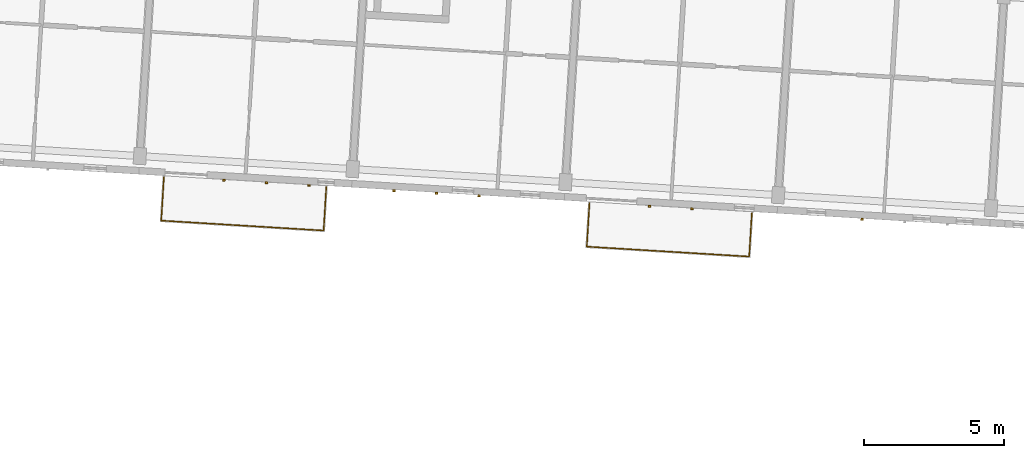
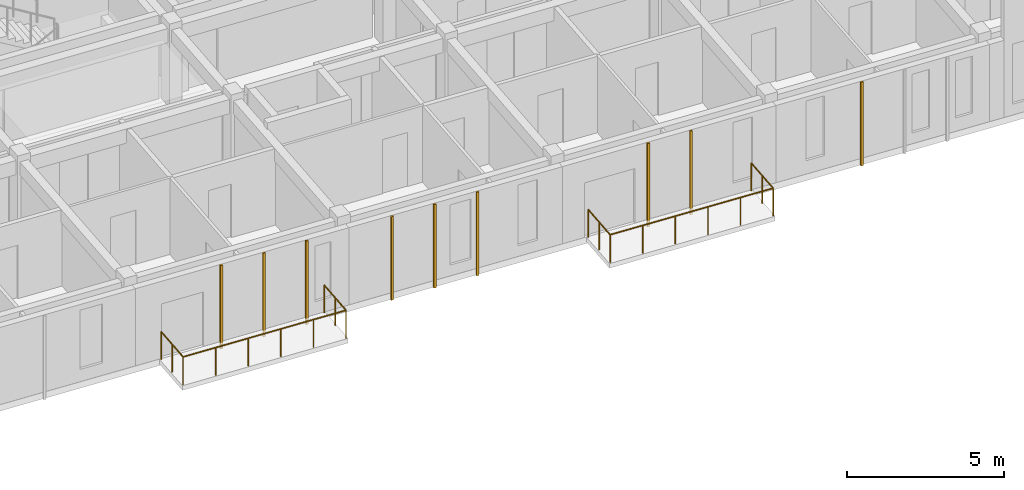
# One storey, part 47 of 64: 9 coverings, 2 railings.
"""IFC4 building model written with IfcOpenShell, lengths in metres."""

from ifc_helpers import new_model, si_unit, direction, frame, origin, origin_2d, place, context, subcontext, project, spatial, rectangle, circle, extrude, material, layer, layer_set, type_object, element, save


model = new_model("IFC4")

# Units and contexts
model_context = context("Model", 3, precision=1e-05, world=origin(), true_north=direction((0.0, 1.0)))
body_context = subcontext(model_context, "Body", "Model", "MODEL_VIEW")
ifc_project = project(units=[si_unit("LENGTHUNIT", "METRE"), si_unit("AREAUNIT", "SQUARE_METRE"), si_unit("VOLUMEUNIT", "CUBIC_METRE"), si_unit("PLANEANGLEUNIT", "RADIAN"), si_unit("MASSUNIT", "GRAM", prefix="KILO")], contexts=[model_context])

# Site, building, storey
site_placement = place(None, origin())
site = spatial("IfcSite", under=ifc_project, at=site_placement, CompositionType="ELEMENT")
building_placement = place(site_placement, origin())
building = spatial("IfcBuilding", under=site, at=building_placement, Name="Kestramere Prow Commons", CompositionType="ELEMENT")
storey_placement = place(building_placement, frame((0.0, 0.0, 24.64990234375)))
storey = spatial("IfcBuildingStorey", under=building, at=storey_placement, Name="L07", CompositionType="ELEMENT", Elevation=24.64990234375)

# Coverings
ifc_material_1 = material(Name="Weathered Zinc-Titanium Standing-Seam Cladding")
ifc_layer = layer(ifc_material_1, 0.074951171875)
ifc_layer_set = layer_set([ifc_layer], Name="Weathered Zinc-Titanium Standing-Seam Cladding")
covering_type = type_object("IfcCoveringType", Name="COV-CLAD-SEAM", PredefinedType="CLADDING", material=ifc_layer_set)
for number, where, z_axis, x_axis, name in (
    (1, (73.113037109375, 44.988525390625, -0.25), (0.0, 0.0, 1.0), (-0.998134798422, 0.061048539535, 0.0), "EW-C-L07-S-1 Standing-Seam Rib 1"),
    (2, (71.595947265625, 45.081298828125, -0.25), (0.0, 0.0, 1.0), (-0.998134798422, 0.061048539535, 0.0), "EW-C-L07-S-1 Standing-Seam Rib 2"),
    (3, (70.078857421875, 45.17431640625, -0.25), (0.0, 0.0, 1.0), (-0.998134798422, 0.061048539535, 0.0), "EW-C-L07-S-1 Standing-Seam Rib 3"),
    (4, (79.181884765625, 44.617431640625, -0.25), (0.0, 0.0, 1.0), (-0.998134798422, 0.061048539535, 0.0), "EW-C-L07-S-2 Standing-Seam Rib 2"),
    (5, (77.66455078125, 44.710205078125, -0.25), (0.0, 0.0, 1.0), (-0.998134798422, 0.061048539535, 0.0), "EW-C-L07-S-2 Standing-Seam Rib 3"),
    (6, (76.1474609375, 44.802978515625, -0.25), (0.0, 0.0, 1.0), (-0.998134798422, 0.061048539535, 0.0), "EW-C-L07-S-2 Standing-Seam Rib 4"),
    (7, (86.767578125, 44.153564453125, -0.25), (0.0, 0.0, 1.0), (-0.998134798422, 0.061048539535, 0.0), "EW-C-L07-S-3 Standing-Seam Rib 2"),
    (8, (85.25048828125, 44.246337890625, -0.25), (0.0, 0.0, 1.0), (-0.998134798422, 0.061048539535, 0.0), "EW-C-L07-S-3 Standing-Seam Rib 3"),
    (9, (92.836181640625, 43.7822265625, -0.25), (0.0, 0.0, 1.0), (-0.998134798422, 0.061048539535, 0.0), "EW-C-L07-S-4 Standing-Seam Rib 3"),
):
    element("IfcCovering", number, at=place(storey_placement, frame(where, z_axis=z_axis, x_axis=x_axis)), inside=storey, type_object=covering_type, Name=name, PredefinedType="CLADDING", context=body_context, shape_type="SweptSolid", body=[
        extrude(rectangle(XDim=0.0849609375, YDim=0.06494140625, at=origin_2d()), origin(), (0.0, 0.0, 1.0), 3.25),
    ])

# Railings
ifc_material_2 = material(Name="Powder-Coated Aluminium 6063-T6", Category="aluminium")
railing_type = type_object("IfcRailingType", Name="GRD-BALC-1100", PredefinedType="BALUSTRADE", material=ifc_material_2)
railing_1_placement = place(storey_placement, frame((67.942138671875, 45.29248046875, 0.0)))
element("IfcRailing", 10, at=railing_1_placement, inside=storey, type_object=railing_type, Name="Block C L07 Balcony Guardrail 2", PredefinedType="BALUSTRADE", context=body_context, shape_type="SweptSolid", body=[
    extrude(circle(Radius=0.02392578125, at=origin_2d()), frame((0.0, 0.0, 1.076171875), z_axis=(-0.061189609383, -0.998126160214, 0.0), x_axis=(0.998126160214, -0.061189609383, 0.0)), (0.0, 0.0, 1.0), 1.56005859375),
    extrude(circle(Radius=0.02392578125, at=origin_2d()), frame((-0.095458984375, -1.55712890625, 1.076171875), z_axis=(0.998133128857, -0.061075830556, 0.0), x_axis=(0.061075830556, 0.998133128857, 0.0)), (0.0, 0.0, 1.0), 5.800048828125),
    extrude(circle(Radius=0.02392578125, at=origin_2d()), frame((5.69384765625, -1.911376953125, 1.076171875), z_axis=(0.061033697925, 0.998135706063, 0.0), x_axis=(-0.998135706063, 0.061033697925, 0.0)), (0.0, 0.0, 1.0), 1.56005859375),
    extrude(circle(Radius=0.02099609375, at=origin_2d()), origin(), (0.0, 0.0, 1.0), 1.052001953125),
    extrude(circle(Radius=0.02099609375, at=origin_2d()), frame((-0.0478515625, -0.778564453125, 0.0)), (0.0, 0.0, 1.0), 1.052001953125),
    extrude(circle(Radius=0.02099609375, at=origin_2d()), frame((-0.095458984375, -1.55712890625, 0.0)), (0.0, 0.0, 1.0), 1.052001953125),
    extrude(circle(Radius=0.02099609375, at=origin_2d()), frame((1.0625, -1.6279296875, 0.0)), (0.0, 0.0, 1.0), 1.052001953125),
    extrude(circle(Radius=0.02099609375, at=origin_2d()), frame((2.22021484375, -1.69873046875, 0.0)), (0.0, 0.0, 1.0), 1.052001953125),
    extrude(circle(Radius=0.02099609375, at=origin_2d()), frame((3.378173828125, -1.769775390625, 0.0)), (0.0, 0.0, 1.0), 1.052001953125),
    extrude(circle(Radius=0.02099609375, at=origin_2d()), frame((4.535888671875, -1.840576171875, 0.0)), (0.0, 0.0, 1.0), 1.052001953125),
    extrude(circle(Radius=0.02099609375, at=origin_2d()), frame((5.69384765625, -1.911376953125, 0.0)), (0.0, 0.0, 1.0), 1.052001953125),
    extrude(circle(Radius=0.02099609375, at=origin_2d()), frame((5.741455078125, -1.1328125, 0.0)), (0.0, 0.0, 1.0), 1.052001953125),
    extrude(circle(Radius=0.02099609375, at=origin_2d()), frame((5.7890625, -0.354248046875, 0.0)), (0.0, 0.0, 1.0), 1.052001953125),
])
railing_2_placement = place(storey_placement, frame((83.11376953125, 44.364501953125, 0.0)))
element("IfcRailing", 11, at=railing_2_placement, inside=storey, type_object=railing_type, Name="Block C L07 Balcony Guardrail 4", PredefinedType="BALUSTRADE", context=body_context, shape_type="SweptSolid", body=[
    extrude(circle(Radius=0.02392578125, at=origin_2d()), frame((0.0, 0.0, 1.076171875), z_axis=(-0.061033697925, -0.998135706063, 0.0), x_axis=(0.998135706063, -0.061033697925, 0.0)), (0.0, 0.0, 1.0), 1.56005859375),
    extrude(circle(Radius=0.02392578125, at=origin_2d()), frame((-0.09521484375, -1.55712890625, 1.076171875), z_axis=(0.998135537192, -0.061036459553, 0.0), x_axis=(0.061036459553, 0.998135537192, 0.0)), (0.0, 0.0, 1.0), 5.7998046875),
    extrude(circle(Radius=0.02392578125, at=origin_2d()), frame((5.69384765625, -1.9111328125, 1.076171875), z_axis=(0.061043233175, 0.998135122959, 0.0), x_axis=(-0.998135122959, 0.061043233175, 0.0)), (0.0, 0.0, 1.0), 1.559814453125),
    extrude(circle(Radius=0.02099609375, at=origin_2d()), origin(), (0.0, 0.0, 1.0), 1.052001953125),
    extrude(circle(Radius=0.02099609375, at=origin_2d()), frame((-0.047607421875, -0.778564453125, 0.0)), (0.0, 0.0, 1.0), 1.052001953125),
    extrude(circle(Radius=0.02099609375, at=origin_2d()), frame((-0.09521484375, -1.55712890625, 0.0)), (0.0, 0.0, 1.0), 1.052001953125),
    extrude(circle(Radius=0.02099609375, at=origin_2d()), frame((1.0625, -1.6279296875, 0.0)), (0.0, 0.0, 1.0), 1.052001953125),
    extrude(circle(Radius=0.02099609375, at=origin_2d()), frame((2.220458984375, -1.69873046875, 0.0)), (0.0, 0.0, 1.0), 1.052001953125),
    extrude(circle(Radius=0.02099609375, at=origin_2d()), frame((3.378173828125, -1.76953125, 0.0)), (0.0, 0.0, 1.0), 1.052001953125),
    extrude(circle(Radius=0.02099609375, at=origin_2d()), frame((4.5361328125, -1.84033203125, 0.0)), (0.0, 0.0, 1.0), 1.052001953125),
    extrude(circle(Radius=0.02099609375, at=origin_2d()), frame((5.69384765625, -1.9111328125, 0.0)), (0.0, 0.0, 1.0), 1.052001953125),
    extrude(circle(Radius=0.02099609375, at=origin_2d()), frame((5.741455078125, -1.1328125, 0.0)), (0.0, 0.0, 1.0), 1.052001953125),
    extrude(circle(Radius=0.02099609375, at=origin_2d()), frame((5.7890625, -0.354248046875, 0.0)), (0.0, 0.0, 1.0), 1.052001953125),
])

save(model, "model.ifc")
